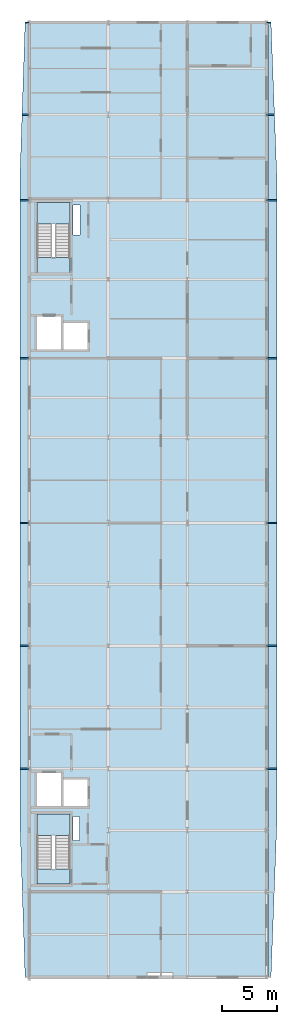
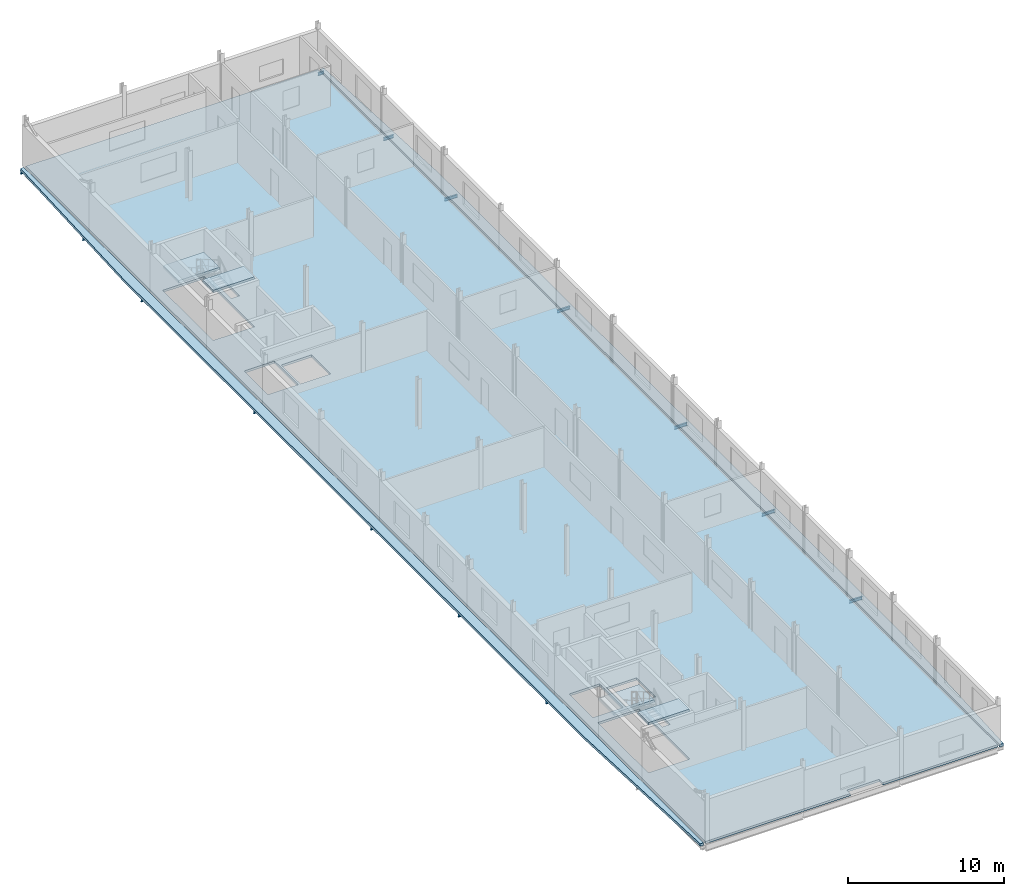
# One storey, part 7 of 16: 14 beams, 7 slabs, 2 elements without a shape of their own.
"""IFC4 building model written with IfcOpenShell, lengths in metres."""

from ifc_helpers import new_model, si_unit, direction, frame, origin, origin_2d, place, context, subcontext, project, spatial, polyline, i_section, outline, extrude, material, layer, layer_set, material_profile, profile_set, type_object, element, aggregate, save


model = new_model("IFC4")

# Units and contexts
model_context = context("Model", 3, precision=1e-05, world=origin(), true_north=direction((0.0, 1.0)))
body_context = subcontext(model_context, "Body", "Model", "MODEL_VIEW")
ifc_project = project(units=[si_unit("LENGTHUNIT", "METRE"), si_unit("AREAUNIT", "SQUARE_METRE"), si_unit("VOLUMEUNIT", "CUBIC_METRE"), si_unit("PLANEANGLEUNIT", "RADIAN"), si_unit("MASSUNIT", "GRAM", prefix="KILO")], contexts=[model_context])

# Site, building, storey
site_placement = place(None, origin())
site = spatial("IfcSite", under=ifc_project, at=site_placement, CompositionType="ELEMENT")
building_placement = place(site_placement, origin())
building = spatial("IfcBuilding", under=site, at=building_placement, Name="Vinh Khe Railworks Police Headquarters", CompositionType="ELEMENT")
storey_placement = place(building_placement, frame((0.0, 0.0, 28.800048828125)))
storey = spatial("IfcBuildingStorey", under=building, at=storey_placement, Name="L07", CompositionType="ELEMENT", Elevation=28.800048828125)

# Beams
ifc_material_1 = material(Name="Steel S355JR", Category="steel")
ifc_material_profile = material_profile(ifc_material_1, i_section(OverallWidth=0.1201171875, OverallDepth=0.239990234375, WebThickness=0.006103515625, FlangeThickness=0.009765625, FilletRadius=0.014892578125, at=origin_2d()), Name="IPE 240")
ifc_profile_set = profile_set([ifc_material_profile], Name="Steel S355JR")
beam_type = type_object("IfcBeamType", Name="Monsoon Hood Outrigger IPE 240", PredefinedType="BEAM", material=ifc_profile_set)
for number, where, z_axis, x_axis, name in (
    (1, (-0.25, 36.39990234375, -0.360107421875), (1.0, 0.0, 0.0), (0.0, 1.0, 0.0), "Monsoon Sun-Hood Outrigger L07-129"),
    (2, (-0.25, 47.60009765625, -0.360107421875), (1.0, 0.0, 0.0), (0.0, 1.0, 0.0), "Monsoon Sun-Hood Outrigger L07-130"),
    (3, (-0.25, 58.800048828125, -0.360107421875), (1.0, 0.0, 0.0), (0.0, 1.0, 0.0), "Monsoon Sun-Hood Outrigger L07-131"),
    (4, (-0.25, 73.800048828125, -0.360107421875), (1.0, 0.0, 0.0), (0.0, 1.0, 0.0), "Monsoon Sun-Hood Outrigger L07-132"),
    (5, (-0.25, 88.199951171875, -0.360107421875), (1.0, 0.0, 0.0), (0.0, 1.0, 0.0), "Monsoon Sun-Hood Outrigger L07-133"),
):
    element("IfcBeam", number, at=place(storey_placement, frame(where, z_axis=z_axis, x_axis=x_axis)), inside=storey, type_object=beam_type, Name=name, PredefinedType="BEAM", context=body_context, shape_type="SweptSolid", body=[
        extrude(i_section(OverallWidth=0.1201171875, OverallDepth=0.239990234375, WebThickness=0.006103515625, FlangeThickness=0.009765625, FilletRadius=0.014892578125, at=origin_2d()), origin(), (0.0, 0.0, 1.0), 0.85009765625),
    ])
beam_1_placement = place(storey_placement, frame((-0.06689453125, 96.0, -0.360107421875), z_axis=(1.0, 0.0, 0.0), x_axis=(0.0, 1.0, 0.0)))
element("IfcBeam", 6, at=beam_1_placement, inside=storey, type_object=beam_type, Name="Monsoon Sun-Hood Outrigger L07-134", PredefinedType="BEAM", context=body_context, shape_type="SweptSolid", body=[
    extrude(i_section(OverallWidth=0.1201171875, OverallDepth=0.239990234375, WebThickness=0.006103515625, FlangeThickness=0.009765625, FilletRadius=0.014892578125, at=origin_2d()), origin(), (0.0, 0.0, 1.0), 0.6669921875),
])
beam_2_placement = place(storey_placement, frame((0.21142578125, 104.39990234375, -0.360107421875), z_axis=(1.0, 0.0, 0.0), x_axis=(0.0, 1.0, 0.0)))
element("IfcBeam", 7, at=beam_2_placement, inside=storey, type_object=beam_type, Name="Monsoon Sun-Hood Outrigger L07-135", PredefinedType="BEAM", context=body_context, shape_type="SweptSolid", body=[
    extrude(i_section(OverallWidth=0.1201171875, OverallDepth=0.239990234375, WebThickness=0.006103515625, FlangeThickness=0.009765625, FilletRadius=0.014892578125, at=origin_2d()), origin(), (0.0, 0.0, 1.0), 0.388671875),
])
for number, where, z_axis, x_axis, name in (
    (8, (22.199951171875, 36.39990234375, -0.360107421875), (1.0, 0.0, 0.0), (0.0, 1.0, 0.0), "Monsoon Sun-Hood Outrigger L07-138"),
    (9, (22.199951171875, 47.60009765625, -0.360107421875), (1.0, 0.0, 0.0), (0.0, 1.0, 0.0), "Monsoon Sun-Hood Outrigger L07-139"),
    (10, (22.199951171875, 58.800048828125, -0.360107421875), (1.0, 0.0, 0.0), (0.0, 1.0, 0.0), "Monsoon Sun-Hood Outrigger L07-140"),
    (11, (22.199951171875, 73.800048828125, -0.360107421875), (1.0, 0.0, 0.0), (0.0, 1.0, 0.0), "Monsoon Sun-Hood Outrigger L07-141"),
    (12, (22.199951171875, 88.199951171875, -0.360107421875), (1.0, 0.0, 0.0), (0.0, 1.0, 0.0), "Monsoon Sun-Hood Outrigger L07-142"),
):
    element("IfcBeam", number, at=place(storey_placement, frame(where, z_axis=z_axis, x_axis=x_axis)), inside=storey, type_object=beam_type, Name=name, PredefinedType="BEAM", context=body_context, shape_type="SweptSolid", body=[
        extrude(i_section(OverallWidth=0.1201171875, OverallDepth=0.239990234375, WebThickness=0.006103515625, FlangeThickness=0.009765625, FilletRadius=0.014892578125, at=origin_2d()), origin(), (0.0, 0.0, 1.0), 0.949951171875),
    ])
beam_3_placement = place(storey_placement, frame((22.199951171875, 96.0, -0.360107421875), z_axis=(1.0, 0.0, 0.0), x_axis=(0.0, 1.0, 0.0)))
element("IfcBeam", 13, at=beam_3_placement, inside=storey, type_object=beam_type, Name="Monsoon Sun-Hood Outrigger L07-143", PredefinedType="BEAM", context=body_context, shape_type="SweptSolid", body=[
    extrude(i_section(OverallWidth=0.1201171875, OverallDepth=0.239990234375, WebThickness=0.006103515625, FlangeThickness=0.009765625, FilletRadius=0.014892578125, at=origin_2d()), origin(), (0.0, 0.0, 1.0), 0.7412109375),
])
beam_4_placement = place(storey_placement, frame((22.199951171875, 104.39990234375, -0.360107421875), z_axis=(1.0, 0.0, 0.0), x_axis=(0.0, 1.0, 0.0)))
element("IfcBeam", 14, at=beam_4_placement, inside=storey, type_object=beam_type, Name="Monsoon Sun-Hood Outrigger L07-144", PredefinedType="BEAM", context=body_context, shape_type="SweptSolid", body=[
    extrude(i_section(OverallWidth=0.1201171875, OverallDepth=0.239990234375, WebThickness=0.006103515625, FlangeThickness=0.009765625, FilletRadius=0.014892578125, at=origin_2d()), origin(), (0.0, 0.0, 1.0), 0.423583984375),
])

# Slabs
ifc_material_2 = material(Name="Concrete C35/45 (B35)", Category="concrete")
ifc_layer_1 = layer(ifc_material_2, 0.199951171875)
ifc_layer_set_1 = layer_set([ifc_layer_1], Name="Concrete C35/45 (B35)")
slab_type_1 = type_object("IfcSlabType", Name="Flat Structural Roof Slab 200", PredefinedType="ROOF", material=ifc_layer_set_1)
slab_1_placement = place(storey_placement, frame((0.0, 0.0, -0.239990234375)))
element("IfcSlab", 15, at=slab_1_placement, inside=storey, type_object=slab_type_1, Name="Monsoon Window Eyebrow Hood V5W (L07)", PredefinedType="ROOF", context=body_context, shape_type="SweptSolid", body=[
    extrude(outline(polyline([(0.4599609375, 17.39990234375), (0.4599609375, 104.39990234375), (0.21142578125, 104.39990234375), (-0.25, 90.47998046875), (-0.25, 31.320068359375), (0.21142578125, 17.39990234375), (0.4599609375, 17.39990234375)])), origin(), (0.0, 0.0, 1.0), 0.199951171875),
])
slab_2_placement = place(storey_placement, frame((0.0, 0.0, -0.239990234375)))
element("IfcSlab", 16, at=slab_2_placement, inside=storey, type_object=slab_type_1, Name="Monsoon Window Eyebrow Hood V5E (L07)", PredefinedType="ROOF", context=body_context, shape_type="SweptSolid", body=[
    extrude(outline(polyline([(22.340087890625, 17.39990234375), (22.62353515625, 17.39990234375), (23.14990234375, 31.320068359375), (23.14990234375, 90.47998046875), (22.62353515625, 104.39990234375), (22.340087890625, 104.39990234375), (22.340087890625, 17.39990234375)])), origin(), (0.0, 0.0, 1.0), 0.199951171875),
])

# Stair, slabs
ifc_material_3 = material(Name="Precast concrete C40/50 (B40)", Category="concrete")
stair_type = type_object("IfcStairType", Name="ST-CORE-DOGLEG", PredefinedType="HALF_TURN_STAIR", material=ifc_material_3)
stair_1_placement = place(storey_placement, origin())
stair_1 = element("IfcStair", 17, at=stair_1_placement, inside=storey, type_object=stair_type, Name="L07 Escape Stair ST-01", PredefinedType="HALF_TURN_STAIR")
ifc_layer_2 = layer(ifc_material_2, 0.199951171875)
ifc_layer_set_2 = layer_set([ifc_layer_2], Name="Concrete C35/45 (B35)")
slab_type_2 = type_object("IfcSlabType", Name="SLB-LAND-200", PredefinedType="LANDING", material=ifc_layer_set_2)
slab_3_placement = place(storey_placement, frame((0.0, 0.0, 1.75)))
slab_3 = element("IfcSlab", 18, at=slab_3_placement, type_object=slab_type_2, Name="ST-01 landing 1", PredefinedType="LANDING", context=body_context, shape_type="SweptSolid", body=[
    extrude(outline(polyline([(4.300048828125, 30.330078125), (4.300048828125, 32.300048828125), (1.300048828125, 32.300048828125), (1.300048828125, 30.330078125), (4.300048828125, 30.330078125)])), origin(), (0.0, 0.0, 1.0), 0.199951171875),
])
slab_4_placement = place(storey_placement, frame((0.0, 0.0, 3.699951171875)))
slab_4 = element("IfcSlab", 19, at=slab_4_placement, type_object=slab_type_2, Name="ST-01 landing 2", PredefinedType="LANDING", context=body_context, shape_type="SweptSolid", body=[
    extrude(outline(polyline([(1.280029296875, 25.8798828125), (4.320068359375, 25.8798828125), (4.320068359375, 27.260009765625), (1.280029296875, 27.260009765625), (1.280029296875, 25.8798828125)])), origin(), (0.0, 0.0, 1.0), 0.199951171875),
])
aggregate(stair_1, [slab_3, slab_4])

stair_2_placement = place(storey_placement, origin())
stair_2 = element("IfcStair", 20, at=stair_2_placement, inside=storey, type_object=stair_type, Name="L07 Escape Stair ST-02", PredefinedType="HALF_TURN_STAIR")
slab_5_placement = place(storey_placement, frame((0.0, 0.0, 1.75)))
slab_5 = element("IfcSlab", 21, at=slab_5_placement, type_object=slab_type_2, Name="ST-02 landing 1", PredefinedType="LANDING", context=body_context, shape_type="SweptSolid", body=[
    extrude(outline(polyline([(4.300048828125, 86.030029296875), (4.300048828125, 88.0), (1.300048828125, 88.0), (1.300048828125, 86.030029296875), (4.300048828125, 86.030029296875)])), origin(), (0.0, 0.0, 1.0), 0.199951171875),
])
slab_6_placement = place(storey_placement, frame((0.0, 0.0, 3.699951171875)))
slab_6 = element("IfcSlab", 22, at=slab_6_placement, type_object=slab_type_2, Name="ST-02 landing 2", PredefinedType="LANDING", context=body_context, shape_type="SweptSolid", body=[
    extrude(outline(polyline([(1.280029296875, 81.580078125), (4.320068359375, 81.580078125), (4.320068359375, 82.9599609375), (1.280029296875, 82.9599609375), (1.280029296875, 81.580078125)])), origin(), (0.0, 0.0, 1.0), 0.199951171875),
])
aggregate(stair_2, [slab_5, slab_6])

# Slab
ifc_layer_3 = layer(ifc_material_2, 0.179931640625)
ifc_layer_set_3 = layer_set([ifc_layer_3], Name="Concrete C35/45 (B35)")
slab_type_3 = type_object("IfcSlabType", Name="Suspended Floor Slab 180", PredefinedType="FLOOR", material=ifc_layer_set_3)
slab_7_placement = place(storey_placement, frame((0.0, 0.0, -0.179931640625)))
element("IfcSlab", 23, at=slab_7_placement, inside=storey, type_object=slab_type_3, Name="V5 Floor Slab (L07)", PredefinedType="FLOOR", context=body_context, shape_type="SweptSolid", body=[
    extrude(outline(polyline([(0.60009765625, 17.39990234375), (11.300048828125, 17.39990234375), (11.300048828125, 17.85009765625), (13.699951171875, 17.85009765625), (13.699951171875, 17.39990234375), (22.199951171875, 17.39990234375), (22.199951171875, 104.39990234375), (0.60009765625, 104.39990234375), (0.60009765625, 17.39990234375)]), holes=[polyline([(1.27001953125, 25.8701171875), (4.330078125, 25.8701171875), (4.330078125, 32.330078125), (1.27001953125, 32.330078125), (1.27001953125, 25.8701171875)]), polyline([(1.280029296875, 32.97998046875), (3.52001953125, 32.97998046875), (3.52001953125, 36.02001953125), (1.280029296875, 36.02001953125), (1.280029296875, 32.97998046875)]), polyline([(3.679931640625, 32.97998046875), (5.919921875, 32.97998046875), (5.919921875, 35.419921875), (3.679931640625, 35.419921875), (3.679931640625, 32.97998046875)]), polyline([(1.27001953125, 81.570068359375), (4.330078125, 81.570068359375), (4.330078125, 88.030029296875), (1.27001953125, 88.030029296875), (1.27001953125, 81.570068359375)]), polyline([(1.280029296875, 74.580078125), (3.52001953125, 74.580078125), (3.52001953125, 77.6201171875), (1.280029296875, 77.6201171875), (1.280029296875, 74.580078125)]), polyline([(3.679931640625, 74.580078125), (5.919921875, 74.580078125), (5.919921875, 77.02001953125), (3.679931640625, 77.02001953125), (3.679931640625, 74.580078125)]), polyline([(4.60009765625, 29.85009765625), (5.179931640625, 29.85009765625), (5.179931640625, 32.050048828125), (4.60009765625, 32.050048828125), (4.60009765625, 29.85009765625)]), polyline([(4.60009765625, 85.050048828125), (5.219970703125, 85.050048828125), (5.219970703125, 87.75), (4.60009765625, 87.75), (4.60009765625, 85.050048828125)])]), origin(), (0.0, 0.0, 1.0), 0.179931640625),
])

save(model, "model.ifc")
